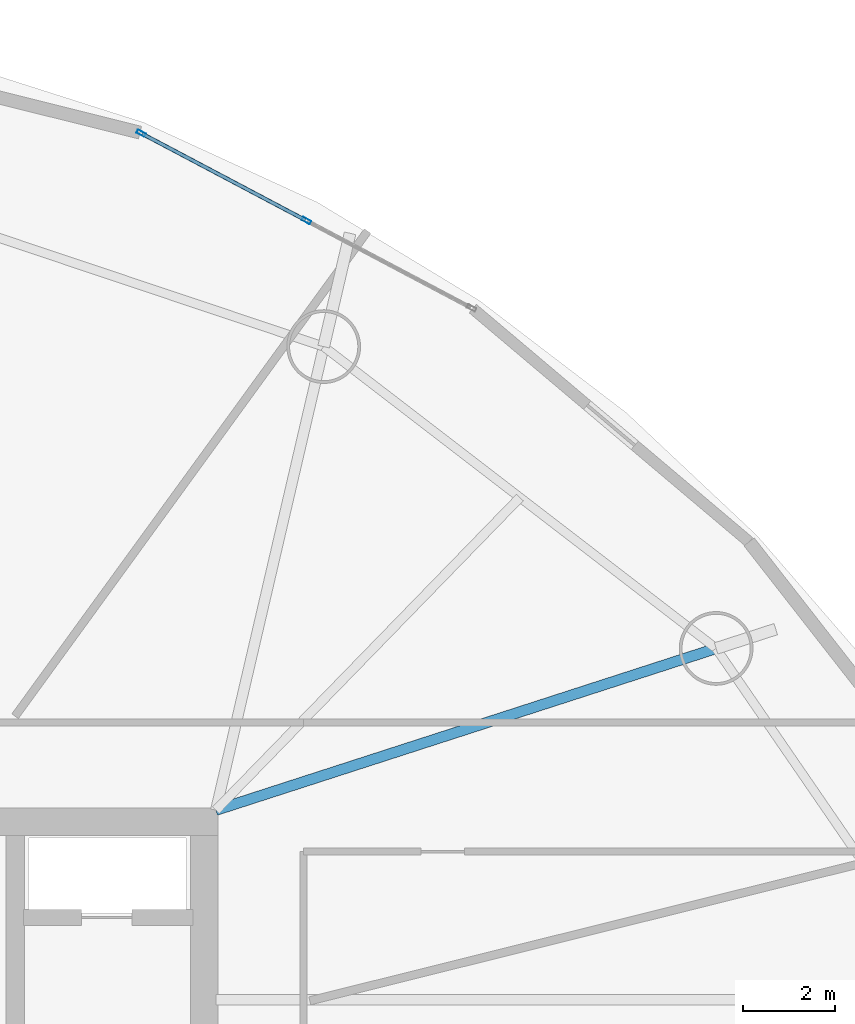
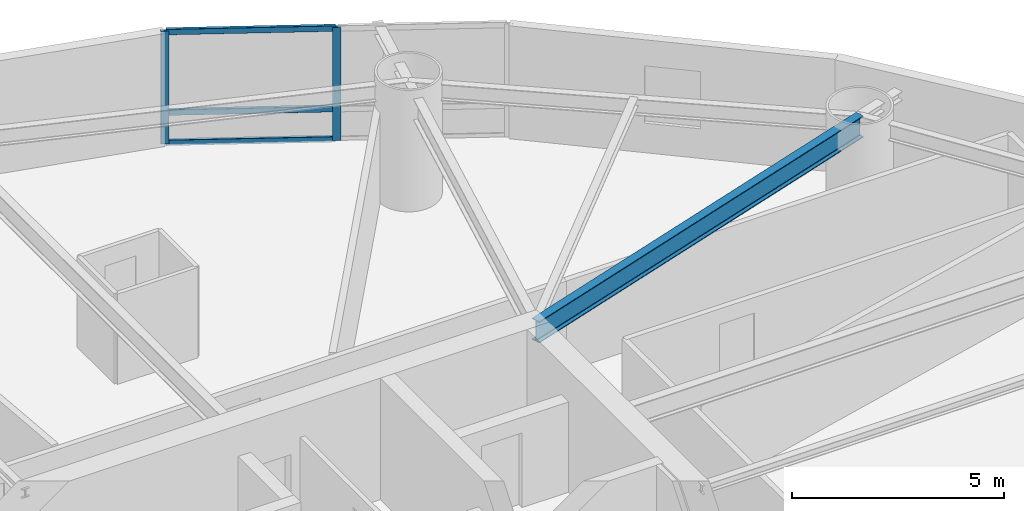
# One storey, part 9 of 19: 5 members, 1 beam, 1 element without a shape of its own.
"""IFC4 building model written with IfcOpenShell, lengths in metres."""

from ifc_helpers import new_model, si_unit, direction, frame, origin, origin_2d, place, context, subcontext, project, spatial, hollow_rectangle, i_section, extrude, material, layer, layer_set, material_profile, profile_set, type_object, element, aggregate, save


model = new_model("IFC4")

# Units and contexts
model_context = context("Model", 3, precision=1e-05, world=origin(), true_north=direction((0.0, 1.0)))
body_context = subcontext(model_context, "Body", "Model", "MODEL_VIEW")
ifc_project = project(units=[si_unit("LENGTHUNIT", "METRE"), si_unit("AREAUNIT", "SQUARE_METRE"), si_unit("VOLUMEUNIT", "CUBIC_METRE"), si_unit("PLANEANGLEUNIT", "RADIAN"), si_unit("MASSUNIT", "GRAM", prefix="KILO")], contexts=[model_context])

# Site, building, storey
site_placement = place(None, origin())
site = spatial("IfcSite", under=ifc_project, at=site_placement, CompositionType="ELEMENT")
building_placement = place(site_placement, origin())
building = spatial("IfcBuilding", under=site, at=building_placement, Name="Bramvorn Convention Spire", CompositionType="ELEMENT")
storey_placement = place(building_placement, frame((0.0, 0.0, 62.39990234375)))
storey = spatial("IfcBuildingStorey", under=building, at=storey_placement, Name="L13", CompositionType="ELEMENT", Elevation=62.39990234375)

# Beam
ifc_material_1 = material(Name="Steel CSA G40.21 Grade 350 (350W)", Category="steel")
ifc_material_profile_1 = material_profile(ifc_material_1, i_section(OverallWidth=0.22998046875, OverallDepth=0.616943359375, WebThickness=0.01318359375, FlangeThickness=0.022216796875, FilletRadius=0.02001953125, at=origin_2d()))
ifc_profile_set_1 = profile_set([ifc_material_profile_1], Name="Steel CSA G40.21 Grade 350 (350W) - W610X140")
beam_type = type_object("IfcBeamType", Name="BM-W610X140", PredefinedType="BEAM", material=ifc_profile_set_1)
beam_placement = place(storey_placement, frame((49.25, 33.449951171875, 2.941650390625), z_axis=(0.951488933275, 0.307682969719, 0.0), x_axis=(-0.307682969719, 0.951488933275, 0.0)))
element("IfcBeam", 1, at=beam_placement, inside=storey, type_object=beam_type, Name="L13 radial floor girder MC03", PredefinedType="BEAM", context=body_context, shape_type="SweptSolid", body=[
    extrude(i_section(OverallWidth=0.22998046875, OverallDepth=0.616943359375, WebThickness=0.01318359375, FlangeThickness=0.022216796875, FilletRadius=0.02001953125, at=origin_2d()), origin(), (0.0, 0.0, 1.0), 11.40869140625),
])

# Curtain wall, members
ifc_material_2 = material(Name="Anodised Bronze Unitised Curtain Wall", Category="aluminium")
ifc_layer = layer(ifc_material_2, 0.179931640625)
ifc_layer_set = layer_set([ifc_layer], Name="Anodised Bronze Unitised Curtain Wall - CW-HTL-FRIT")
curtain_wall_type = type_object("IfcCurtainWallType", Name="CW-HTL-FRIT", PredefinedType="USERDEFINED", material=ifc_layer_set)
curtain_wall_placement = place(storey_placement, origin())
curtain_wall = element("IfcCurtainWall", 2, at=curtain_wall_placement, inside=storey, type_object=curtain_wall_type, Name="L13 fritted glass curtain wall 05", ObjectType="UNITISED CURTAIN WALL", PredefinedType="USERDEFINED")
ifc_material_3 = material(Name="Anodised Bronze Aluminium 6063-T6", Category="aluminium")
ifc_material_profile_2 = material_profile(ifc_material_3, hollow_rectangle(XDim=0.080078125, YDim=0.199951171875, WallThickness=0.00390625, InnerFilletRadius=0.0009765625, OuterFilletRadius=0.00390625, at=origin_2d()))
ifc_profile_set_2 = profile_set([ifc_material_profile_2], Name="Anodised Bronze Aluminium 6063-T6 - CWM80X200")
member_type_1 = type_object("IfcMemberType", Name="CW-MUL-180", PredefinedType="MULLION", material=ifc_profile_set_2)
member_1_placement = place(storey_placement, frame((47.6298828125, 48.137939453125, 0.0), z_axis=(0.0, 0.0, 1.0), x_axis=(0.46755479478, 0.883964090831, 0.0)))
member_1 = element("IfcMember", 3, at=member_1_placement, type_object=member_type_1, Name="CW2 mullion 1", PredefinedType="MULLION", context=body_context, shape_type="SweptSolid", body=[
    extrude(hollow_rectangle(XDim=0.080078125, YDim=0.199951171875, WallThickness=0.00390625, InnerFilletRadius=0.0009765625, OuterFilletRadius=0.00390625, at=origin_2d()), origin(), (0.0, 0.0, 1.0), 3.25),
])
member_2_placement = place(storey_placement, frame((51.21484375, 46.241943359375, 0.0), z_axis=(0.0, 0.0, 1.0), x_axis=(0.46755479478, 0.883964090831, 0.0)))
member_2 = element("IfcMember", 4, at=member_2_placement, type_object=member_type_1, Name="CW2 mullion 2", PredefinedType="MULLION", context=body_context, shape_type="SweptSolid", body=[
    extrude(hollow_rectangle(XDim=0.080078125, YDim=0.199951171875, WallThickness=0.00390625, InnerFilletRadius=0.0009765625, OuterFilletRadius=0.00390625, at=origin_2d()), origin(), (0.0, 0.0, 1.0), 3.25),
])
ifc_material_profile_3 = material_profile(ifc_material_3, hollow_rectangle(XDim=0.080078125, YDim=0.159912109375, WallThickness=0.00390625, InnerFilletRadius=0.0009765625, OuterFilletRadius=0.00390625, at=origin_2d()))
ifc_profile_set_3 = profile_set([ifc_material_profile_3], Name="Anodised Bronze Aluminium 6063-T6 - CWT80X160")
member_type_2 = type_object("IfcMemberType", Name="CW-TRN-150", PredefinedType="USERDEFINED", material=ifc_profile_set_3)
member_3_placement = place(storey_placement, frame((47.656494140625, 48.1240234375, 0.030029296875), z_axis=(0.88395136074, -0.467578861633, 0.0), x_axis=(0.467578861633, 0.88395136074, 0.0)))
member_3 = element("IfcMember", 5, at=member_3_placement, type_object=member_type_2, Name="CW2 transom 1.1", ObjectType="TRANSOM", PredefinedType="USERDEFINED", context=body_context, shape_type="SweptSolid", body=[
    extrude(hollow_rectangle(XDim=0.080078125, YDim=0.159912109375, WallThickness=0.00390625, InnerFilletRadius=0.0009765625, OuterFilletRadius=0.00390625, at=origin_2d()), origin(), (0.0, 0.0, 1.0), 3.995361328125),
])
member_4_placement = place(storey_placement, frame((47.656494140625, 48.1240234375, 0.900146484375), z_axis=(0.88395136074, -0.467578861633, 0.0), x_axis=(0.467578861633, 0.88395136074, 0.0)))
member_4 = element("IfcMember", 6, at=member_4_placement, type_object=member_type_2, Name="CW2 transom 1.2", ObjectType="TRANSOM", PredefinedType="USERDEFINED", context=body_context, shape_type="SweptSolid", body=[
    extrude(hollow_rectangle(XDim=0.080078125, YDim=0.159912109375, WallThickness=0.00390625, InnerFilletRadius=0.0009765625, OuterFilletRadius=0.00390625, at=origin_2d()), origin(), (0.0, 0.0, 1.0), 3.995361328125),
])
member_5_placement = place(storey_placement, frame((47.656494140625, 48.1240234375, 3.22021484375), z_axis=(0.88395136074, -0.467578861633, 0.0), x_axis=(0.467578861633, 0.88395136074, 0.0)))
member_5 = element("IfcMember", 7, at=member_5_placement, type_object=member_type_2, Name="CW2 transom 1.3", ObjectType="TRANSOM", PredefinedType="USERDEFINED", context=body_context, shape_type="SweptSolid", body=[
    extrude(hollow_rectangle(XDim=0.080078125, YDim=0.159912109375, WallThickness=0.00390625, InnerFilletRadius=0.0009765625, OuterFilletRadius=0.00390625, at=origin_2d()), origin(), (0.0, 0.0, 1.0), 3.995361328125),
])
aggregate(curtain_wall, [member_1, member_2, member_3, member_4, member_5])

save(model, "model.ifc")
